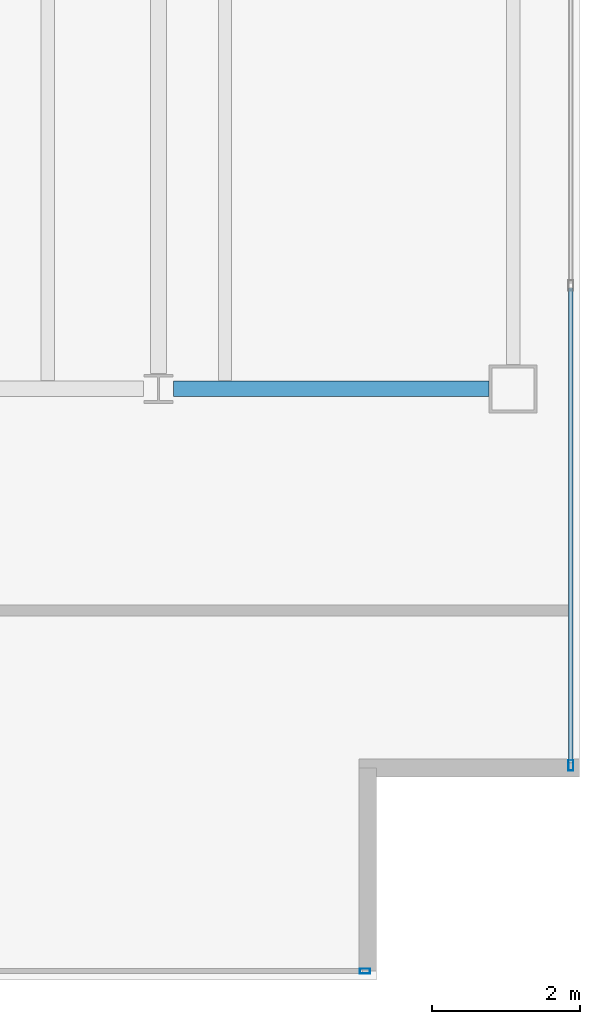
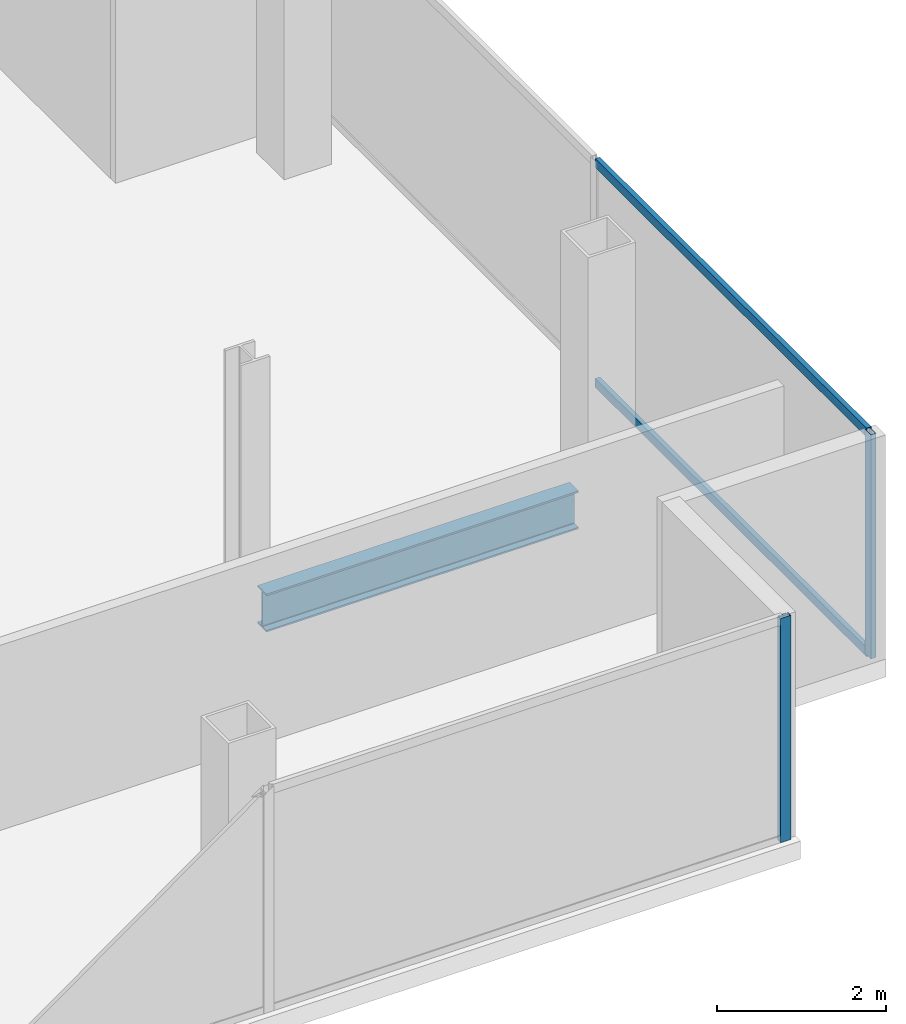
# One storey, part 14 of 24: 4 members, 1 beam, 2 elements without a shape of their own.
"""IFC4 building model written with IfcOpenShell, lengths in metres."""

from ifc_helpers import new_model, si_unit, direction, frame, origin, origin_2d, place, context, subcontext, project, spatial, hollow_rectangle, i_section, extrude, material, material_profile, profile_set, type_object, element, aggregate, save


model = new_model("IFC4")

# Units and contexts
model_context = context("Model", 3, precision=1e-05, world=origin(), true_north=direction((0.0, 1.0)))
body_context = subcontext(model_context, "Body", "Model", "MODEL_VIEW")
ifc_project = project(units=[si_unit("LENGTHUNIT", "METRE"), si_unit("AREAUNIT", "SQUARE_METRE"), si_unit("VOLUMEUNIT", "CUBIC_METRE"), si_unit("PLANEANGLEUNIT", "RADIAN"), si_unit("MASSUNIT", "GRAM", prefix="KILO")], contexts=[model_context])

# Site, building, storey
site_placement = place(None, origin())
site = spatial("IfcSite", under=ifc_project, at=site_placement, CompositionType="ELEMENT")
building_placement = place(site_placement, origin())
building = spatial("IfcBuilding", under=site, at=building_placement, Name="Cobrela Telecom Tower", CompositionType="ELEMENT")
storey_placement = place(building_placement, frame((0.0, 0.0, 248.14990234375)))
storey = spatial("IfcBuildingStorey", under=building, at=storey_placement, Name="L64", CompositionType="ELEMENT", Elevation=248.14990234375)

# Beam
ifc_material_1 = material(Name="Steel ASTM A992 Grade 50", Category="steel")
ifc_material_profile_1 = material_profile(ifc_material_1, i_section(OverallWidth=0.212890625, OverallDepth=0.549072265625, WebThickness=0.0146484375, FlangeThickness=0.023681640625, FilletRadius=0.013916015625, at=origin_2d()), Name="W21X93")
ifc_profile_set_1 = profile_set([ifc_material_profile_1], Name="Steel ASTM A992 Grade 50")
beam_type = type_object("IfcBeamType", Name="BM-GIRD-08", PredefinedType="USERDEFINED", material=ifc_profile_set_1)
beam_placement = place(storey_placement, frame((40.1044921875, 14.39990234375, -0.534423828125), z_axis=(1.0, 0.0, 0.0), x_axis=(0.0, 1.0, 0.0)))
element("IfcBeam", 1, at=beam_placement, inside=storey, type_object=beam_type, Name="L64 Primary Girder X09", ObjectType="GIRDER", PredefinedType="USERDEFINED", context=body_context, shape_type="SweptSolid", body=[
    extrude(i_section(OverallWidth=0.212890625, OverallDepth=0.549072265625, WebThickness=0.0146484375, FlangeThickness=0.023681640625, FilletRadius=0.013916015625, at=origin_2d()), origin(), (0.0, 0.0, 1.0), 4.265625),
])

# Curtain wall, member
ifc_material_2 = material(Name="Anodized Bronze Aluminium 6063-T6", Category="aluminium")
curtain_wall_type = type_object("IfcCurtainWallType", Name="CW-SYS-OFF-HI", PredefinedType="USERDEFINED", material=ifc_material_2)
curtain_wall_1_placement = place(storey_placement, origin())
curtain_wall_1 = element("IfcCurtainWall", 2, at=curtain_wall_1_placement, inside=storey, type_object=curtain_wall_type, Name="L64 Unitised Bronze Curtain Wall 12", ObjectType="UNITISED CURTAIN WALL", PredefinedType="USERDEFINED")
ifc_material_profile_2 = material_profile(ifc_material_2, hollow_rectangle(XDim=0.070068359375, YDim=0.139892578125, WallThickness=0.00390625, at=origin_2d()), Name="ALU 70x140x4")
ifc_profile_set_2 = profile_set([ifc_material_profile_2], Name="Anodized Bronze Aluminium 6063-T6")
member_type_1 = type_object("IfcMemberType", Name="CW-SYS-OFF-HI-MUL", PredefinedType="MULLION", material=ifc_profile_set_2)
member_1_placement = place(storey_placement, frame((45.47998046875, 9.304931640625, 0.0), z_axis=(0.0, 0.0, 1.0), x_axis=(1.0, 0.0, 0.0)))
member_1 = element("IfcMember", 3, at=member_1_placement, type_object=member_type_1, Name="CW-OFF-HI mullion 3", PredefinedType="MULLION", context=body_context, shape_type="SweptSolid", body=[
    extrude(hollow_rectangle(XDim=0.070068359375, YDim=0.139892578125, WallThickness=0.00390625, at=origin_2d()), origin(), (0.0, 0.0, 1.0), 3.239990234375),
])

curtain_wall_2_placement = place(storey_placement, origin())
curtain_wall_2 = element("IfcCurtainWall", 4, at=curtain_wall_2_placement, inside=storey, type_object=curtain_wall_type, Name="L64 Unitised Bronze Curtain Wall 15", ObjectType="UNITISED CURTAIN WALL", PredefinedType="USERDEFINED")
member_2_placement = place(storey_placement, frame((42.695068359375, 6.52001953125, 0.0), z_axis=(0.0, 0.0, 1.0), x_axis=(0.0, -1.0, 0.0)))
member_2 = element("IfcMember", 5, at=member_2_placement, type_object=member_type_1, Name="CW-OFF-HI mullion 1", PredefinedType="MULLION", context=body_context, shape_type="SweptSolid", body=[
    extrude(hollow_rectangle(XDim=0.070068359375, YDim=0.139892578125, WallThickness=0.00390625, at=origin_2d()), origin(), (0.0, 0.0, 1.0), 3.239990234375),
])
aggregate(curtain_wall_2, [member_2])

# Member
ifc_material_profile_3 = material_profile(ifc_material_2, hollow_rectangle(XDim=0.06494140625, YDim=0.1298828125, WallThickness=0.00390625, at=origin_2d()), Name="ALU 65x130x4")
ifc_profile_set_3 = profile_set([ifc_material_profile_3], Name="Anodized Bronze Aluminium 6063-T6")
member_type_2 = type_object("IfcMemberType", Name="CW-SYS-OFF-HI-TRN", PredefinedType="USERDEFINED", material=ifc_profile_set_3)
member_3_placement = place(storey_placement, frame((45.47998046875, 15.764892578125, 0.03271484375), z_axis=(0.0, -1.0, 0.0), x_axis=(1.0, 0.0, 0.0)))
member_3 = element("IfcMember", 6, at=member_3_placement, type_object=member_type_2, Name="CW-OFF-HI transom 2.1", ObjectType="TRANSOM", PredefinedType="USERDEFINED", context=body_context, shape_type="SweptSolid", body=[
    extrude(hollow_rectangle(XDim=0.06494140625, YDim=0.1298828125, WallThickness=0.00390625, at=origin_2d()), origin(), (0.0, 0.0, 1.0), 6.4248046875),
])

member_4_placement = place(storey_placement, frame((45.47998046875, 15.764892578125, 3.20751953125), z_axis=(0.0, -1.0, 0.0), x_axis=(1.0, 0.0, 0.0)))
member_4 = element("IfcMember", 7, at=member_4_placement, type_object=member_type_2, Name="CW-OFF-HI transom 2.2", ObjectType="TRANSOM", PredefinedType="USERDEFINED", context=body_context, shape_type="SweptSolid", body=[
    extrude(hollow_rectangle(XDim=0.06494140625, YDim=0.1298828125, WallThickness=0.00390625, at=origin_2d()), origin(), (0.0, 0.0, 1.0), 6.4248046875),
])

aggregate(curtain_wall_1, [member_1, member_3, member_4])

save(model, "model.ifc")
